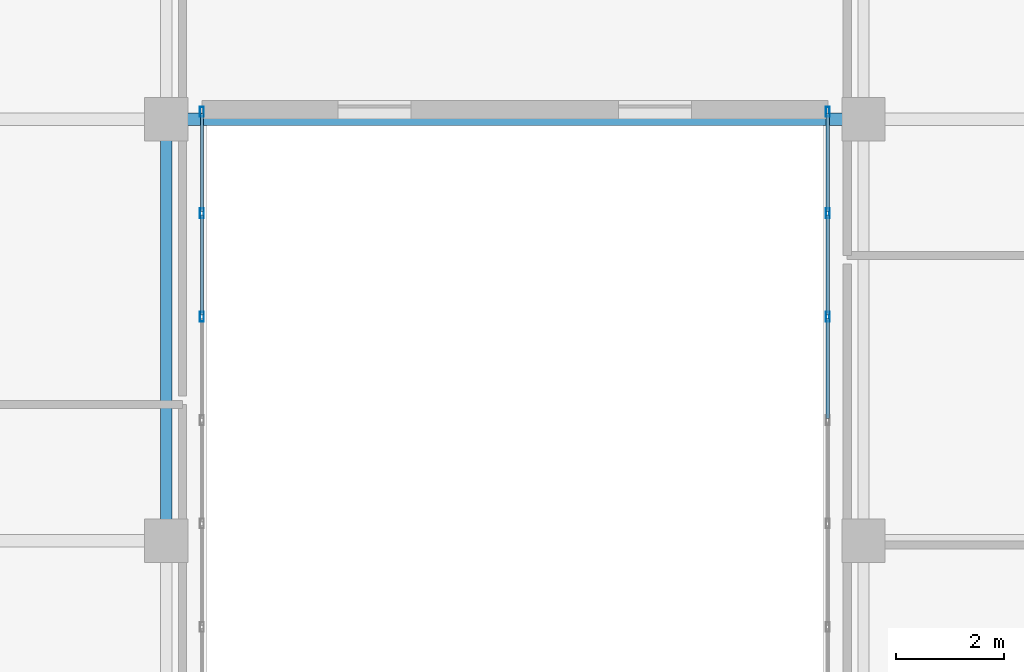
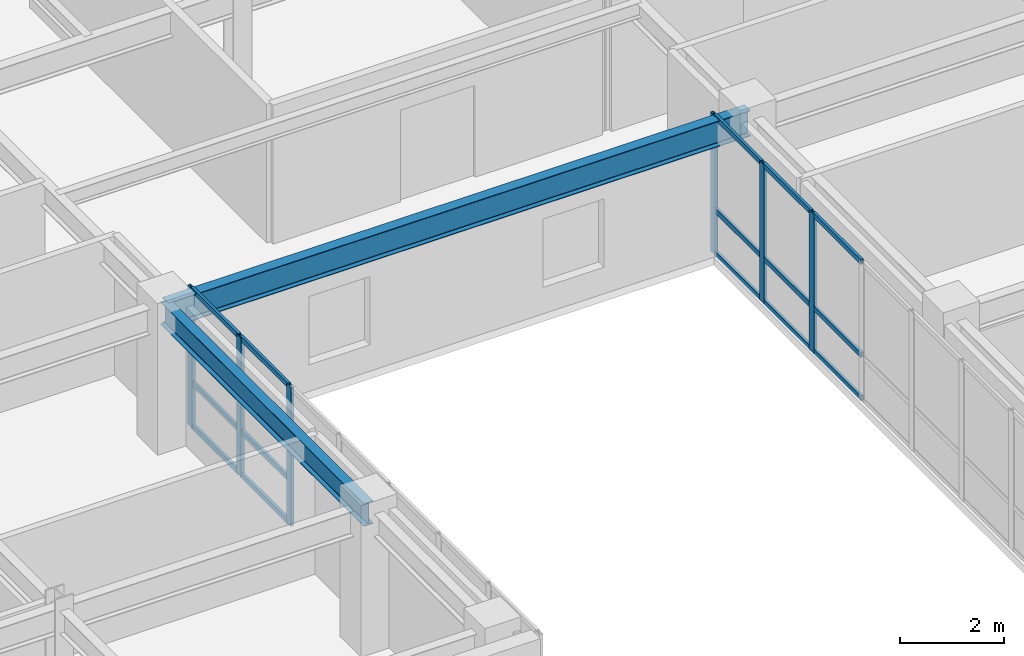
# One storey, part 4 of 14: 21 members, 2 beams, 2 elements without a shape of their own.
"""IFC4 building model written with IfcOpenShell, lengths in metres."""

from ifc_helpers import new_model, si_unit, direction, frame, origin, origin_2d, place, context, subcontext, project, spatial, hollow_rectangle, i_section, extrude, source, transform, mapped, material, layer, layer_set, material_profile, profile_set, type_object, type_shapes, element, aggregate, save


model = new_model("IFC4")

# Units and contexts
model_context = context("Model", 3, precision=1e-05, world=origin(), true_north=direction((0.0, 1.0)))
body_context = subcontext(model_context, "Body", "Model", "MODEL_VIEW")
ifc_project = project(units=[si_unit("LENGTHUNIT", "METRE"), si_unit("AREAUNIT", "SQUARE_METRE"), si_unit("VOLUMEUNIT", "CUBIC_METRE"), si_unit("PLANEANGLEUNIT", "RADIAN"), si_unit("MASSUNIT", "GRAM", prefix="KILO")], contexts=[model_context])

# Site, building, storey
site_placement = place(None, origin())
site = spatial("IfcSite", under=ifc_project, at=site_placement, CompositionType="ELEMENT")
building_placement = place(site_placement, origin())
building = spatial("IfcBuilding", under=site, at=building_placement, Name="Tolvann Quenvar Hotel", CompositionType="ELEMENT")
storey_placement = place(building_placement, frame((0.0, 0.0, 179.0)))
storey = spatial("IfcBuildingStorey", under=building, at=storey_placement, Name="L47", CompositionType="ELEMENT", Elevation=179.0)

# Beams
ifc_material_1 = material(Name="Steel Grade 350", Category="steel")
ifc_material_profile_1 = material_profile(ifc_material_1, i_section(OverallWidth=0.208984375, OverallDepth=0.532958984375, WebThickness=0.01025390625, FlangeThickness=0.015625, FilletRadius=0.013916015625, at=origin_2d()), Name="530UB92")
ifc_profile_set_1 = profile_set([ifc_material_profile_1], Name="Steel Grade 350")
beam_type_1 = type_object("IfcBeamType", Name="BM_GIRD_530UB92", PredefinedType="BEAM", material=ifc_profile_set_1)
shared_shape_1 = source(origin(), body_context, "Body", "SweptSolid", [
    extrude(i_section(OverallWidth=0.208984375, OverallDepth=0.532958984375, WebThickness=0.01025390625, FlangeThickness=0.015625, FilletRadius=0.013916015625, at=origin_2d()), origin(), (0.0, 0.0, 1.0), 7.800048828125),
])
type_shapes(beam_type_1, [shared_shape_1])
beam_1_placement = place(storey_placement, frame((22.050048828125, 8.199951171875, 2.9833984375), z_axis=(0.0, 1.0, 0.0), x_axis=(-1.0, 0.0, 0.0)))
element("IfcBeam", 1, at=beam_1_placement, inside=storey, type_object=beam_type_1, Name="BM-L47-NS-E3-E4", PredefinedType="BEAM", context=body_context, shape_type="MappedRepresentation", body=[
    mapped(shared_shape_1, transform((0.0, 0.0, 0.0), x_axis=(1.0, 0.0, 0.0), y_axis=(0.0, 1.0, 0.0), z_axis=(0.0, 0.0, 1.0), scale=1.0)),
])
ifc_material_profile_2 = material_profile(ifc_material_1, i_section(OverallWidth=0.22802734375, OverallDepth=0.60205078125, WebThickness=0.010498046875, FlangeThickness=0.014892578125, FilletRadius=0.013916015625, at=origin_2d()), Name="610UB101")
ifc_profile_set_2 = profile_set([ifc_material_profile_2], Name="Steel Grade 350")
beam_type_2 = type_object("IfcBeamType", Name="BM_GIRD_610UB101", PredefinedType="BEAM", material=ifc_profile_set_2)
shared_shape_2 = source(origin(), body_context, "Body", "SweptSolid", [
    extrude(i_section(OverallWidth=0.22802734375, OverallDepth=0.60205078125, WebThickness=0.010498046875, FlangeThickness=0.014892578125, FilletRadius=0.013916015625, at=origin_2d()), origin(), (0.0, 0.0, 1.0), 12.89990234375),
])
type_shapes(beam_type_2, [shared_shape_2])
beam_2_placement = place(storey_placement, frame((22.050048828125, 16.0, 2.948974609375), z_axis=(1.0, 0.0, 0.0), x_axis=(0.0, 1.0, 0.0)))
element("IfcBeam", 2, at=beam_2_placement, inside=storey, type_object=beam_type_2, Name="BM-L47-EW-4-E4-F4", PredefinedType="BEAM", context=body_context, shape_type="MappedRepresentation", body=[
    mapped(shared_shape_2, transform((0.0, 0.0, 0.0), x_axis=(1.0, 0.0, 0.0), y_axis=(0.0, 1.0, 0.0), z_axis=(0.0, 0.0, 1.0), scale=1.0)),
])

# Curtain wall, members
ifc_material_2 = material(Name="Thermally broken anodised architectural aluminium 6063-T6 and laminated low-E glass", Category="aluminium")
ifc_layer = layer(ifc_material_2, 0.179931640625)
ifc_layer_set = layer_set([ifc_layer], Name="Thermally broken anodised architectural aluminium 6063-T6 and laminated low-E glass")
curtain_wall_type = type_object("IfcCurtainWallType", Name="CW_SYS_SLOT_03", PredefinedType="USERDEFINED", material=ifc_layer_set)
curtain_wall_1_placement = place(storey_placement, origin())
curtain_wall_1 = element("IfcCurtainWall", 3, at=curtain_wall_1_placement, inside=storey, type_object=curtain_wall_type, Name="Curtain Wall CW-SLOT-03 (CWR-L47-E05)", ObjectType="UNITISED CURTAIN WALL", PredefinedType="USERDEFINED")
ifc_material_3 = material(Name="Anodised architectural aluminium 6063-T6 framing", Category="aluminium")
ifc_material_profile_3 = material_profile(ifc_material_3, hollow_rectangle(XDim=0.070068359375, YDim=0.179931640625, WallThickness=0.00390625, at=origin_2d()), Name="180x70x4RHS")
ifc_profile_set_3 = profile_set([ifc_material_profile_3], Name="Anodised architectural aluminium 6063-T6 framing")
member_type_1 = type_object("IfcMemberType", Name="CW_MULL_180x70", PredefinedType="MULLION", material=ifc_profile_set_3)
shared_shape_3 = source(origin(), body_context, "Body", "SweptSolid", [
    extrude(hollow_rectangle(XDim=0.070068359375, YDim=0.179931640625, WallThickness=0.00390625, at=origin_2d()), origin(), (0.0, 0.0, 1.0), 3.25),
])
type_shapes(member_type_1, [shared_shape_3])
member_1_placement = place(storey_placement, frame((22.7099609375, 12.346435546875, 0.0), z_axis=(0.0, 0.0, 1.0), x_axis=(-1.0, 0.0, 0.0)))
member_1 = element("IfcMember", 4, at=member_1_placement, type_object=member_type_1, Name="CW-SLOT-03 mullion 6", PredefinedType="MULLION", context=body_context, shape_type="MappedRepresentation", body=[
    mapped(shared_shape_3, transform((0.0, 0.0, 0.0), x_axis=(1.0, 0.0, 0.0), y_axis=(0.0, 1.0, 0.0), z_axis=(0.0, 0.0, 1.0), scale=1.0)),
])
member_2_placement = place(storey_placement, frame((22.7099609375, 14.2607421875, 0.0), z_axis=(0.0, 0.0, 1.0), x_axis=(-1.0, 0.0, 0.0)))
member_2 = element("IfcMember", 5, at=member_2_placement, type_object=member_type_1, Name="CW-SLOT-03 mullion 7", PredefinedType="MULLION", context=body_context, shape_type="MappedRepresentation", body=[
    mapped(shared_shape_3, transform((0.0, 0.0, 0.0), x_axis=(1.0, 0.0, 0.0), y_axis=(0.0, 1.0, 0.0), z_axis=(0.0, 0.0, 1.0), scale=1.0)),
])
member_3_placement = place(storey_placement, frame((22.7099609375, 16.139892578125, 0.0), z_axis=(0.0, 0.0, 1.0), x_axis=(-1.0, 0.0, 0.0)))
member_3 = element("IfcMember", 6, at=member_3_placement, type_object=member_type_1, Name="CW-SLOT-03 mullion 8", PredefinedType="MULLION", context=body_context, shape_type="MappedRepresentation", body=[
    mapped(shared_shape_3, transform((0.0, 0.0, 0.0), x_axis=(1.0, 0.0, 0.0), y_axis=(0.0, 1.0, 0.0), z_axis=(0.0, 0.0, 1.0), scale=1.0)),
])

curtain_wall_2_placement = place(storey_placement, origin())
curtain_wall_2 = element("IfcCurtainWall", 7, at=curtain_wall_2_placement, inside=storey, type_object=curtain_wall_type, Name="Curtain Wall CW-SLOT-03 (CWR-L47-E07)", ObjectType="UNITISED CURTAIN WALL", PredefinedType="USERDEFINED")
member_4_placement = place(storey_placement, frame((34.2900390625, 16.139892578125, 0.0), z_axis=(0.0, 0.0, 1.0), x_axis=(1.0, 0.0, 0.0)))
member_4 = element("IfcMember", 8, at=member_4_placement, type_object=member_type_1, Name="CW-SLOT-03 mullion 1", PredefinedType="MULLION", context=body_context, shape_type="MappedRepresentation", body=[
    mapped(shared_shape_3, transform((0.0, 0.0, 0.0), x_axis=(1.0, 0.0, 0.0), y_axis=(0.0, 1.0, 0.0), z_axis=(0.0, 0.0, 1.0), scale=1.0)),
])
member_5_placement = place(storey_placement, frame((34.2900390625, 14.2607421875, 0.0), z_axis=(0.0, 0.0, 1.0), x_axis=(1.0, 0.0, 0.0)))
member_5 = element("IfcMember", 9, at=member_5_placement, type_object=member_type_1, Name="CW-SLOT-03 mullion 2", PredefinedType="MULLION", context=body_context, shape_type="MappedRepresentation", body=[
    mapped(shared_shape_3, transform((0.0, 0.0, 0.0), x_axis=(1.0, 0.0, 0.0), y_axis=(0.0, 1.0, 0.0), z_axis=(0.0, 0.0, 1.0), scale=1.0)),
])
member_6_placement = place(storey_placement, frame((34.2900390625, 12.346435546875, 0.0), z_axis=(0.0, 0.0, 1.0), x_axis=(1.0, 0.0, 0.0)))
member_6 = element("IfcMember", 10, at=member_6_placement, type_object=member_type_1, Name="CW-SLOT-03 mullion 3", PredefinedType="MULLION", context=body_context, shape_type="MappedRepresentation", body=[
    mapped(shared_shape_3, transform((0.0, 0.0, 0.0), x_axis=(1.0, 0.0, 0.0), y_axis=(0.0, 1.0, 0.0), z_axis=(0.0, 0.0, 1.0), scale=1.0)),
])

# Member
ifc_material_profile_4 = material_profile(ifc_material_3, hollow_rectangle(XDim=0.06005859375, YDim=0.1201171875, WallThickness=0.00341796875, at=origin_2d()), Name="120x60x3.5RHS")
ifc_profile_set_4 = profile_set([ifc_material_profile_4], Name="Anodised architectural aluminium 6063-T6 framing")
member_type_2 = type_object("IfcMemberType", Name="CW_TRAN_120x60", PredefinedType="USERDEFINED", material=ifc_profile_set_4)
shared_shape_4 = source(origin(), body_context, "Body", "SweptSolid", [
    extrude(hollow_rectangle(XDim=0.06005859375, YDim=0.1201171875, WallThickness=0.00341796875, at=origin_2d()), origin(), (0.0, 0.0, 1.0), 1.809326171875),
])
member_7_placement = place(storey_placement, frame((22.7099609375, 14.295654296875, 0.030029296875), z_axis=(0.0, 1.0, 0.0), x_axis=(-1.0, 0.0, 0.0)))
member_7 = element("IfcMember", 11, at=member_7_placement, type_object=member_type_2, Name="CW-SLOT-03 transom 7.1", ObjectType="TRANSOM", PredefinedType="USERDEFINED", context=body_context, shape_type="MappedRepresentation", body=[
    mapped(shared_shape_4, transform((0.0, 0.0, 0.0), x_axis=(1.0, 0.0, 0.0), y_axis=(0.0, 1.0, 0.0), z_axis=(0.0, 0.0, 1.0), scale=1.0)),
])

member_8_placement = place(storey_placement, frame((22.7099609375, 14.295654296875, 1.0400390625), z_axis=(0.0, 1.0, 0.0), x_axis=(-1.0, 0.0, 0.0)))
member_8 = element("IfcMember", 12, at=member_8_placement, type_object=member_type_2, Name="CW-SLOT-03 transom 7.2", ObjectType="TRANSOM", PredefinedType="USERDEFINED", context=body_context, shape_type="MappedRepresentation", body=[
    mapped(shared_shape_4, transform((0.0, 0.0, 0.0), x_axis=(1.0, 0.0, 0.0), y_axis=(0.0, 1.0, 0.0), z_axis=(0.0, 0.0, 1.0), scale=1.0)),
])

member_9_placement = place(storey_placement, frame((22.7099609375, 14.295654296875, 3.219970703125), z_axis=(0.0, 1.0, 0.0), x_axis=(-1.0, 0.0, 0.0)))
member_9 = element("IfcMember", 13, at=member_9_placement, type_object=member_type_2, Name="CW-SLOT-03 transom 7.3", ObjectType="TRANSOM", PredefinedType="USERDEFINED", context=body_context, shape_type="MappedRepresentation", body=[
    mapped(shared_shape_4, transform((0.0, 0.0, 0.0), x_axis=(1.0, 0.0, 0.0), y_axis=(0.0, 1.0, 0.0), z_axis=(0.0, 0.0, 1.0), scale=1.0)),
])

member_10_placement = place(storey_placement, frame((34.2900390625, 16.10498046875, 0.030029296875), z_axis=(0.0, -1.0, 0.0), x_axis=(1.0, 0.0, 0.0)))
member_10 = element("IfcMember", 14, at=member_10_placement, type_object=member_type_2, Name="CW-SLOT-03 transom 1.1", ObjectType="TRANSOM", PredefinedType="USERDEFINED", context=body_context, shape_type="MappedRepresentation", body=[
    mapped(shared_shape_4, transform((0.0, 0.0, 0.0), x_axis=(1.0, 0.0, 0.0), y_axis=(0.0, 1.0, 0.0), z_axis=(0.0, 0.0, 1.0), scale=1.0)),
])

member_11_placement = place(storey_placement, frame((34.2900390625, 16.10498046875, 1.0400390625), z_axis=(0.0, -1.0, 0.0), x_axis=(1.0, 0.0, 0.0)))
member_11 = element("IfcMember", 15, at=member_11_placement, type_object=member_type_2, Name="CW-SLOT-03 transom 1.2", ObjectType="TRANSOM", PredefinedType="USERDEFINED", context=body_context, shape_type="MappedRepresentation", body=[
    mapped(shared_shape_4, transform((0.0, 0.0, 0.0), x_axis=(1.0, 0.0, 0.0), y_axis=(0.0, 1.0, 0.0), z_axis=(0.0, 0.0, 1.0), scale=1.0)),
])

member_12_placement = place(storey_placement, frame((34.2900390625, 16.10498046875, 3.219970703125), z_axis=(0.0, -1.0, 0.0), x_axis=(1.0, 0.0, 0.0)))
member_12 = element("IfcMember", 16, at=member_12_placement, type_object=member_type_2, Name="CW-SLOT-03 transom 1.3", ObjectType="TRANSOM", PredefinedType="USERDEFINED", context=body_context, shape_type="MappedRepresentation", body=[
    mapped(shared_shape_4, transform((0.0, 0.0, 0.0), x_axis=(1.0, 0.0, 0.0), y_axis=(0.0, 1.0, 0.0), z_axis=(0.0, 0.0, 1.0), scale=1.0)),
])

shared_shape_5 = source(origin(), body_context, "Body", "SweptSolid", [
    extrude(hollow_rectangle(XDim=0.06005859375, YDim=0.1201171875, WallThickness=0.00341796875, at=origin_2d()), origin(), (0.0, 0.0, 1.0), 1.844482421875),
])
type_shapes(member_type_2, [shared_shape_4, shared_shape_5])
member_13_placement = place(storey_placement, frame((22.7099609375, 12.38134765625, 0.030029296875), z_axis=(0.0, 1.0, 0.0), x_axis=(-1.0, 0.0, 0.0)))
member_13 = element("IfcMember", 17, at=member_13_placement, type_object=member_type_2, Name="CW-SLOT-03 transom 6.1", ObjectType="TRANSOM", PredefinedType="USERDEFINED", context=body_context, shape_type="MappedRepresentation", body=[
    mapped(shared_shape_5, transform((0.0, 0.0, 0.0), x_axis=(1.0, 0.0, 0.0), y_axis=(0.0, 1.0, 0.0), z_axis=(0.0, 0.0, 1.0), scale=1.0)),
])

member_14_placement = place(storey_placement, frame((22.7099609375, 12.38134765625, 1.0400390625), z_axis=(0.0, 1.0, 0.0), x_axis=(-1.0, 0.0, 0.0)))
member_14 = element("IfcMember", 18, at=member_14_placement, type_object=member_type_2, Name="CW-SLOT-03 transom 6.2", ObjectType="TRANSOM", PredefinedType="USERDEFINED", context=body_context, shape_type="MappedRepresentation", body=[
    mapped(shared_shape_5, transform((0.0, 0.0, 0.0), x_axis=(1.0, 0.0, 0.0), y_axis=(0.0, 1.0, 0.0), z_axis=(0.0, 0.0, 1.0), scale=1.0)),
])

member_15_placement = place(storey_placement, frame((22.7099609375, 12.38134765625, 3.219970703125), z_axis=(0.0, 1.0, 0.0), x_axis=(-1.0, 0.0, 0.0)))
member_15 = element("IfcMember", 19, at=member_15_placement, type_object=member_type_2, Name="CW-SLOT-03 transom 6.3", ObjectType="TRANSOM", PredefinedType="USERDEFINED", context=body_context, shape_type="MappedRepresentation", body=[
    mapped(shared_shape_5, transform((0.0, 0.0, 0.0), x_axis=(1.0, 0.0, 0.0), y_axis=(0.0, 1.0, 0.0), z_axis=(0.0, 0.0, 1.0), scale=1.0)),
])

aggregate(curtain_wall_1, [member_1, member_2, member_3, member_13, member_14, member_15, member_7, member_8, member_9])

member_16_placement = place(storey_placement, frame((34.2900390625, 14.225830078125, 0.030029296875), z_axis=(0.0, -1.0, 0.0), x_axis=(1.0, 0.0, 0.0)))
member_16 = element("IfcMember", 20, at=member_16_placement, type_object=member_type_2, Name="CW-SLOT-03 transom 2.1", ObjectType="TRANSOM", PredefinedType="USERDEFINED", context=body_context, shape_type="MappedRepresentation", body=[
    mapped(shared_shape_5, transform((0.0, 0.0, 0.0), x_axis=(1.0, 0.0, 0.0), y_axis=(0.0, 1.0, 0.0), z_axis=(0.0, 0.0, 1.0), scale=1.0)),
])

member_17_placement = place(storey_placement, frame((34.2900390625, 14.225830078125, 1.0400390625), z_axis=(0.0, -1.0, 0.0), x_axis=(1.0, 0.0, 0.0)))
member_17 = element("IfcMember", 21, at=member_17_placement, type_object=member_type_2, Name="CW-SLOT-03 transom 2.2", ObjectType="TRANSOM", PredefinedType="USERDEFINED", context=body_context, shape_type="MappedRepresentation", body=[
    mapped(shared_shape_5, transform((0.0, 0.0, 0.0), x_axis=(1.0, 0.0, 0.0), y_axis=(0.0, 1.0, 0.0), z_axis=(0.0, 0.0, 1.0), scale=1.0)),
])

member_18_placement = place(storey_placement, frame((34.2900390625, 14.225830078125, 3.219970703125), z_axis=(0.0, -1.0, 0.0), x_axis=(1.0, 0.0, 0.0)))
member_18 = element("IfcMember", 22, at=member_18_placement, type_object=member_type_2, Name="CW-SLOT-03 transom 2.3", ObjectType="TRANSOM", PredefinedType="USERDEFINED", context=body_context, shape_type="MappedRepresentation", body=[
    mapped(shared_shape_5, transform((0.0, 0.0, 0.0), x_axis=(1.0, 0.0, 0.0), y_axis=(0.0, 1.0, 0.0), z_axis=(0.0, 0.0, 1.0), scale=1.0)),
])

member_19_placement = place(storey_placement, frame((34.2900390625, 12.3115234375, 0.030029296875), z_axis=(0.0, -1.0, 0.0), x_axis=(1.0, 0.0, 0.0)))
member_19 = element("IfcMember", 23, at=member_19_placement, type_object=member_type_2, Name="CW-SLOT-03 transom 3.1", ObjectType="TRANSOM", PredefinedType="USERDEFINED", context=body_context, shape_type="MappedRepresentation", body=[
    mapped(shared_shape_5, transform((0.0, 0.0, 0.0), x_axis=(1.0, 0.0, 0.0), y_axis=(0.0, 1.0, 0.0), z_axis=(0.0, 0.0, 1.0), scale=1.0)),
])

member_20_placement = place(storey_placement, frame((34.2900390625, 12.3115234375, 1.0400390625), z_axis=(0.0, -1.0, 0.0), x_axis=(1.0, 0.0, 0.0)))
member_20 = element("IfcMember", 24, at=member_20_placement, type_object=member_type_2, Name="CW-SLOT-03 transom 3.2", ObjectType="TRANSOM", PredefinedType="USERDEFINED", context=body_context, shape_type="MappedRepresentation", body=[
    mapped(shared_shape_5, transform((0.0, 0.0, 0.0), x_axis=(1.0, 0.0, 0.0), y_axis=(0.0, 1.0, 0.0), z_axis=(0.0, 0.0, 1.0), scale=1.0)),
])

member_21_placement = place(storey_placement, frame((34.2900390625, 12.3115234375, 3.219970703125), z_axis=(0.0, -1.0, 0.0), x_axis=(1.0, 0.0, 0.0)))
member_21 = element("IfcMember", 25, at=member_21_placement, type_object=member_type_2, Name="CW-SLOT-03 transom 3.3", ObjectType="TRANSOM", PredefinedType="USERDEFINED", context=body_context, shape_type="MappedRepresentation", body=[
    mapped(shared_shape_5, transform((0.0, 0.0, 0.0), x_axis=(1.0, 0.0, 0.0), y_axis=(0.0, 1.0, 0.0), z_axis=(0.0, 0.0, 1.0), scale=1.0)),
])

aggregate(curtain_wall_2, [member_4, member_5, member_6, member_10, member_11, member_12, member_16, member_17, member_18, member_19, member_20, member_21])

save(model, "model.ifc")
